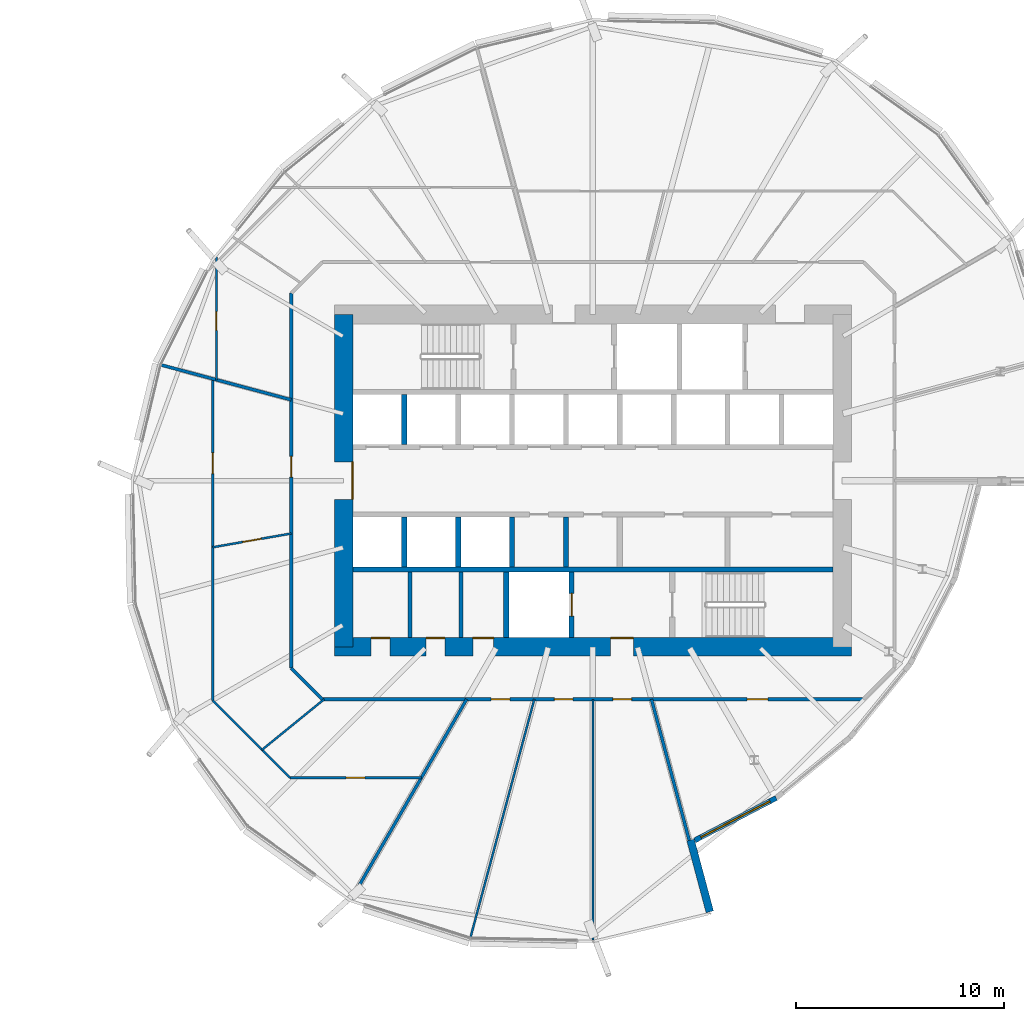
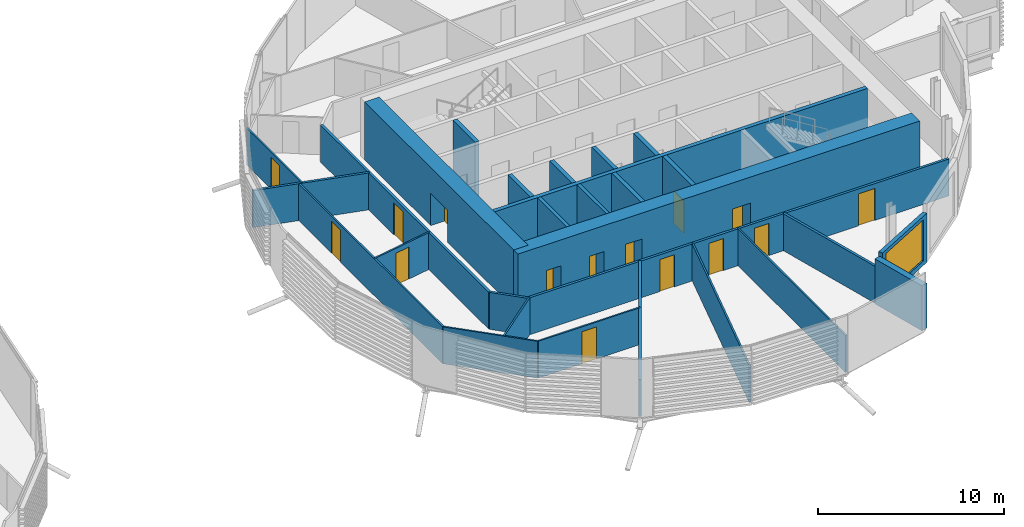
# One storey, part 23 of 38: 28 walls, 15 doors, 1 window, 16 openings.
"""IFC4 building model written with IfcOpenShell, lengths in metres."""

from ifc_helpers import new_model, si_unit, direction, frame, frame_2d, origin, place, context, subcontext, project, spatial, rectangle, extrude, material, layer, layer_set, type_object, element, fill, save


model = new_model("IFC4")

# Units and contexts
model_context = context("Model", 3, precision=1e-05, world=origin(), true_north=direction((0.0, 1.0)))
body_context = subcontext(model_context, "Body", "Model", "MODEL_VIEW")
ifc_project = project(units=[si_unit("LENGTHUNIT", "METRE"), si_unit("AREAUNIT", "SQUARE_METRE"), si_unit("VOLUMEUNIT", "CUBIC_METRE"), si_unit("PLANEANGLEUNIT", "RADIAN"), si_unit("MASSUNIT", "GRAM", prefix="KILO")], contexts=[model_context])

# Site, building, storey
site_placement = place(None, origin())
site = spatial("IfcSite", under=ifc_project, at=site_placement, CompositionType="ELEMENT")
building_placement = place(site_placement, origin())
building = spatial("IfcBuilding", under=site, at=building_placement, Name="Rimbun Link Towers", CompositionType="ELEMENT")
storey_placement = place(building_placement, frame((0.0, 0.0, 68.0)))
storey = spatial("IfcBuildingStorey", under=building, at=storey_placement, Name="L16", CompositionType="ELEMENT", Elevation=68.0)

# Wall, opening, window
ifc_material_1 = material(Name="Dark enamelled glass spandrel on insulated aluminium backpan", Category="aluminium")
ifc_layer_1 = layer(ifc_material_1, 0.25)
ifc_layer_set_1 = layer_set([ifc_layer_1], Name="CS dark enamelled spandrel wall 250")
wall_type_1 = type_object("IfcWallType", Name="CS dark enamelled spandrel wall 250", PredefinedType="STANDARD", material=ifc_layer_set_1)
wall_1_placement = place(storey_placement, frame((40.57958984375, -15.278564453125, 0.0), z_axis=(0.0, 0.0, 1.0), x_axis=(-0.886942309025, -0.461880223069, 0.0)))
wall_1 = element("IfcWall", 1, at=wall_1_placement, inside=storey, type_object=wall_type_1, Name="Crease spandrel wall", PredefinedType="STANDARD", context=body_context, shape_type="SweptSolid", body=[
    extrude(rectangle(XDim=4.429443359375, YDim=0.25, at=frame_2d((2.21484375, 0.0))), origin(), (0.0, 0.0, 1.0), 3.2236328125),
])
opening_1_placement = place(wall_1_placement, frame((0.33984375, 0.0, 0.300048828125)))
opening_1 = element("IfcOpeningElement", 2, at=opening_1_placement, cuts=wall_1, Name="Opening WR38H270", PredefinedType="OPENING", context=body_context, shape_type="SweptSolid", body=[
    extrude(rectangle(XDim=3.75, YDim=2.699951171875, at=frame_2d((1.875, 1.35009765625))), frame((0.0, 0.135009765625, 0.0), z_axis=(0.0, -1.0, 0.0), x_axis=(1.0, 0.0, 0.0)), (0.0, 0.0, 1.0), 0.27001953125),
])
ifc_material_2 = material(Name="Aluminium framed fixed window, dark tinted low-e glass", Category="aluminium")
window_type = type_object("IfcWindowType", Name="WR ribbon window 3750X2700", PartitioningType="SINGLE_PANEL", PredefinedType="WINDOW", material=ifc_material_2)
window_placement = place(opening_1_placement, origin())
window = element("IfcWindow", 3, at=window_placement, inside=storey, type_object=window_type, Name="Crease ribbon window", OverallHeight=2.699951171875, OverallWidth=3.75, PartitioningType="SINGLE_PANEL", PredefinedType="WINDOW", context=body_context, shape_type="SweptSolid", body=[
    extrude(rectangle(XDim=3.75, YDim=2.699951171875, at=frame_2d((1.875, 1.35009765625))), frame((0.0, 0.030029296875, 0.0), z_axis=(0.0, -1.0, 0.0), x_axis=(1.0, 0.0, 0.0)), (0.0, 0.0, 1.0), 0.06005859375),
])
fill(opening_1, window)

# Walls
ifc_material_3 = material(Name="Dark enamelled glass spandrel on insulated aluminium backpan", Category="aluminium")
ifc_layer_2 = layer(ifc_material_3, 0.3701171875)
ifc_layer_set_2 = layer_set([ifc_layer_2], Name="CS dark enamelled spandrel wall 370")
wall_type_2 = type_object("IfcWallType", Name="CS dark enamelled spandrel wall 370", PredefinedType="STANDARD", material=ifc_layer_set_2)
wall_2_placement = place(storey_placement, frame((36.453369140625, -17.30224609375, 0.0), z_axis=(0.0, 0.0, 1.0), x_axis=(0.258867887085, -0.965912737796, 0.0)))
element("IfcWall", 4, at=wall_2_placement, inside=storey, type_object=wall_type_2, Name="Crease spandrel wall", PredefinedType="STANDARD", context=body_context, shape_type="SweptSolid", body=[
    extrude(rectangle(XDim=3.580078125, YDim=0.3701171875, at=frame_2d((1.7900390625, 0.0))), origin(), (0.0, 0.0, 1.0), 2.9462890625),
])
ifc_material_4 = material(Name="Masonry blockwork", Category="masonry")
ifc_layer_3 = layer(ifc_material_4, 0.199951171875)
ifc_layer_set_3 = layer_set([ifc_layer_3], Name="Core partition 200")
wall_type_3 = type_object("IfcWallType", Name="Core partition 200", PredefinedType="PARTITIONING", material=ifc_layer_set_3)
for number, where, z_axis, x_axis, name in (
    (5, (22.949951171875, -4.39990234375, 0.0), (0.0, 0.0, 1.0), (0.0, -1.0, 0.0), "L16 T2 core wall C1"),
    (6, (25.39990234375, -4.39990234375, 0.0), (0.0, 0.0, 1.0), (0.0, -1.0, 0.0), "L16 T2 core wall C2"),
):
    element("IfcWall", number, at=place(storey_placement, frame(where, z_axis=z_axis, x_axis=x_axis)), inside=storey, type_object=wall_type_3, Name=name, PredefinedType="PARTITIONING", context=body_context, shape_type="SweptSolid", body=[
        extrude(rectangle(XDim=3.150146484375, YDim=0.199951171875, at=frame_2d((1.5751953125, 0.0))), origin(), (0.0, 0.0, 1.0), 3.800048828125),
    ])

# Wall, openings, doors
ifc_material_5 = material(Name="Concrete C60/75", Category="concrete")
ifc_layer_4 = layer(ifc_material_5, 0.89990234375)
ifc_layer_set_4 = layer_set([ifc_layer_4], Name="Core shear wall 900")
wall_type_4 = type_object("IfcWallType", Name="Core shear wall 900", PredefinedType="SHEAR", material=ifc_layer_set_4)
wall_3_placement = place(storey_placement, frame((19.300048828125, -8.0, 0.0), z_axis=(0.0, 0.0, 1.0), x_axis=(1.0, 0.0, 0.0)))
wall_3 = element("IfcWall", 7, at=wall_3_placement, inside=storey, type_object=wall_type_4, Name="L16 T2 core wall S", PredefinedType="SHEAR", context=body_context, shape_type="SweptSolid", body=[
    extrude(rectangle(XDim=24.89990234375, YDim=0.89990234375, at=frame_2d((12.449951171875, 0.0))), origin(), (0.0, 0.0, 1.0), 3.800048828125),
])
opening_2_placement = place(wall_3_placement, frame((13.300048828125, 0.0, 0.0)))
opening_2 = element("IfcOpeningElement", 8, at=opening_2_placement, cuts=wall_3, Name="Opening C2DCF01S", PredefinedType="OPENING", context=body_context, shape_type="SweptSolid", body=[
    extrude(rectangle(XDim=1.10009765625, YDim=2.10009765625, at=frame_2d((0.550048828125, 1.050048828125))), frame((0.0, 0.4599609375, 0.0), z_axis=(0.0, -1.0, 0.0), x_axis=(1.0, 0.0, 0.0)), (0.0, 0.0, 1.0), 0.919921875),
])
opening_3_placement = place(wall_3_placement, frame((1.77490234375, 0.0, 0.0)))
opening_3 = element("IfcOpeningElement", 9, at=opening_3_placement, cuts=wall_3, Name="Opening C2DWC02S", PredefinedType="OPENING", context=body_context, shape_type="SweptSolid", body=[
    extrude(rectangle(XDim=0.89990234375, YDim=2.10009765625, at=frame_2d((0.449951171875, 1.050048828125))), frame((0.0, 0.4599609375, 0.0), z_axis=(0.0, -1.0, 0.0), x_axis=(1.0, 0.0, 0.0)), (0.0, 0.0, 1.0), 0.919921875),
])
opening_4_placement = place(wall_3_placement, frame((4.425048828125, 0.0, 0.0)))
opening_4 = element("IfcOpeningElement", 10, at=opening_4_placement, cuts=wall_3, Name="Opening C2DWC03S", PredefinedType="OPENING", context=body_context, shape_type="SweptSolid", body=[
    extrude(rectangle(XDim=0.89990234375, YDim=2.10009765625, at=frame_2d((0.449951171875, 1.050048828125))), frame((0.0, 0.4599609375, 0.0), z_axis=(0.0, -1.0, 0.0), x_axis=(1.0, 0.0, 0.0)), (0.0, 0.0, 1.0), 0.919921875),
])
opening_5_placement = place(wall_3_placement, frame((6.675048828125, 0.0, 0.0)))
opening_5 = element("IfcOpeningElement", 11, at=opening_5_placement, cuts=wall_3, Name="Opening C2DAW04S", PredefinedType="OPENING", context=body_context, shape_type="SweptSolid", body=[
    extrude(rectangle(XDim=1.0, YDim=2.10009765625, at=frame_2d((0.5, 1.050048828125))), frame((0.0, 0.4599609375, 0.0), z_axis=(0.0, -1.0, 0.0), x_axis=(1.0, 0.0, 0.0)), (0.0, 0.0, 1.0), 0.919921875),
])
ifc_material_6 = material(Name="Timber", Category="wood")
door_type_1 = type_object("IfcDoorType", Name="Accessible WC door", OperationType="SINGLE_SWING_LEFT", PredefinedType="DOOR", material=ifc_material_6)
door_1_placement = place(opening_5_placement, origin())
door_1 = element("IfcDoor", 12, at=door_1_placement, inside=storey, type_object=door_type_1, Name="L16 T2 accessible wc door", OperationType="SINGLE_SWING_LEFT", OverallHeight=2.10009765625, OverallWidth=1.0, PredefinedType="DOOR", context=body_context, shape_type="SweptSolid", body=[
    extrude(rectangle(XDim=1.0, YDim=2.10009765625, at=frame_2d((0.5, 1.050048828125))), frame((0.0, 0.4501953125, 0.0), z_axis=(0.0, -1.0, 0.0), x_axis=(1.0, 0.0, 0.0)), (0.0, 0.0, 1.0), 0.050048828125),
])
fill(opening_5, door_1)
ifc_material_7 = material(Name="Steel fire door set", Category="steel")
door_type_2 = type_object("IfcDoorType", Name="Core fire door single", OperationType="SINGLE_SWING_LEFT", PredefinedType="DOOR", material=ifc_material_7)
door_2_placement = place(opening_2_placement, origin())
door_2 = element("IfcDoor", 13, at=door_2_placement, inside=storey, type_object=door_type_2, Name="L16 T2 firefighting lobby s door", OperationType="SINGLE_SWING_RIGHT", OverallHeight=2.10009765625, OverallWidth=1.10009765625, PredefinedType="DOOR", context=body_context, shape_type="SweptSolid", body=[
    extrude(rectangle(XDim=1.10009765625, YDim=2.10009765625, at=frame_2d((0.550048828125, 1.050048828125))), frame((0.0, 0.4501953125, 0.0), z_axis=(0.0, -1.0, 0.0), x_axis=(1.0, 0.0, 0.0)), (0.0, 0.0, 1.0), 0.050048828125),
])
fill(opening_2, door_2)
ifc_material_8 = material(Name="Timber", Category="wood")
door_type_3 = type_object("IfcDoorType", Name="WC door", OperationType="SINGLE_SWING_LEFT", PredefinedType="DOOR", material=ifc_material_8)
door_3_placement = place(opening_3_placement, origin())
door_3 = element("IfcDoor", 14, at=door_3_placement, inside=storey, type_object=door_type_3, Name="L16 T2 male wc door", OperationType="SINGLE_SWING_RIGHT", OverallHeight=2.10009765625, OverallWidth=0.89990234375, PredefinedType="DOOR", context=body_context, shape_type="SweptSolid", body=[
    extrude(rectangle(XDim=0.89990234375, YDim=2.10009765625, at=frame_2d((0.449951171875, 1.050048828125))), frame((0.0, 0.4501953125, 0.0), z_axis=(0.0, -1.0, 0.0), x_axis=(1.0, 0.0, 0.0)), (0.0, 0.0, 1.0), 0.050048828125),
])
fill(opening_3, door_3)
door_4_placement = place(opening_4_placement, origin())
door_4 = element("IfcDoor", 15, at=door_4_placement, inside=storey, type_object=door_type_3, Name="L16 T2 female wc door", OperationType="SINGLE_SWING_RIGHT", OverallHeight=2.10009765625, OverallWidth=0.89990234375, PredefinedType="DOOR", context=body_context, shape_type="SweptSolid", body=[
    extrude(rectangle(XDim=0.89990234375, YDim=2.10009765625, at=frame_2d((0.449951171875, 1.050048828125))), frame((0.0, 0.4501953125, 0.0), z_axis=(0.0, -1.0, 0.0), x_axis=(1.0, 0.0, 0.0)), (0.0, 0.0, 1.0), 0.050048828125),
])
fill(opening_4, door_4)

# Wall, opening, door
wall_4_placement = place(storey_placement, frame((19.75, -8.0, 0.0), z_axis=(0.0, 0.0, 1.0), x_axis=(0.0, 1.0, 0.0)))
wall_4 = element("IfcWall", 16, at=wall_4_placement, inside=storey, type_object=wall_type_4, Name="L16 T2 core wall W", PredefinedType="SHEAR", context=body_context, shape_type="SweptSolid", body=[
    extrude(rectangle(XDim=16.0, YDim=0.89990234375, at=frame_2d((8.0, 0.0))), origin(), (0.0, 0.0, 1.0), 3.800048828125),
])
opening_6_placement = place(wall_4_placement, frame((7.10009765625, 0.0, 0.0)))
opening_6 = element("IfcOpeningElement", 17, at=opening_6_placement, cuts=wall_4, Name="Opening C2DCL01W", PredefinedType="OPENING", context=body_context, shape_type="SweptSolid", body=[
    extrude(rectangle(XDim=1.800048828125, YDim=2.10009765625, at=frame_2d((0.89990234375, 1.050048828125))), frame((0.0, 0.4599609375, 0.0), z_axis=(0.0, -1.0, 0.0), x_axis=(1.0, 0.0, 0.0)), (0.0, 0.0, 1.0), 0.919921875),
])
ifc_material_9 = material(Name="Steel fire door set", Category="steel")
door_type_4 = type_object("IfcDoorType", Name="Core lobby door double", OperationType="DOUBLE_DOOR_SINGLE_SWING", PredefinedType="DOOR", material=ifc_material_9)
door_5_placement = place(opening_6_placement, origin())
door_5 = element("IfcDoor", 18, at=door_5_placement, inside=storey, type_object=door_type_4, Name="L16 T2 lift lobby door", OperationType="DOUBLE_DOOR_SINGLE_SWING", OverallHeight=2.10009765625, OverallWidth=1.800048828125, PredefinedType="DOOR", context=body_context, shape_type="SweptSolid", body=[
    extrude(rectangle(XDim=1.800048828125, YDim=2.10009765625, at=frame_2d((0.89990234375, 1.050048828125))), frame((0.0, -0.39990234375, 0.0), z_axis=(0.0, -1.0, 0.0), x_axis=(1.0, 0.0, 0.0)), (0.0, 0.0, 1.0), 0.050048828125),
])
fill(opening_6, door_5)

# Wall, openings, doors
ifc_material_10 = material(Name="Plasterboard on steel stud, mineral wool", Category="steel")
ifc_layer_5 = layer(ifc_material_10, 0.14990234375)
ifc_layer_set_5 = layer_set([ifc_layer_5], Name="Corridor wall EI 30 150 mm")
wall_type_5 = type_object("IfcWallType", Name="Corridor wall EI 30 150 mm", PredefinedType="PARTITIONING", material=ifc_layer_set_5)
wall_5_placement = place(storey_placement, frame((44.776611328125, -10.52490234375, 0.0), z_axis=(0.0, 0.0, 1.0), x_axis=(-1.0, 0.0, 0.0)))
wall_5 = element("IfcWall", 19, at=wall_5_placement, inside=storey, type_object=wall_type_5, Name="Corridor wall EI 30 150 mm", PredefinedType="PARTITIONING", context=body_context, shape_type="SweptSolid", body=[
    extrude(rectangle(XDim=26.05322265625, YDim=0.14990234375, at=frame_2d((13.026611328125, 0.0))), origin(), (0.0, 0.0, 1.0), 2.419921875),
])
opening_7_placement = place(wall_5_placement, frame((17.025146484375, 0.0, 0.0)))
opening_7 = element("IfcOpeningElement", 20, at=opening_7_placement, cuts=wall_5, Name="Opening D02", PredefinedType="OPENING", context=body_context, shape_type="SweptSolid", body=[
    extrude(rectangle(XDim=0.89990234375, YDim=2.10009765625, at=frame_2d((0.449951171875, 1.050048828125))), frame((0.0, 0.0849609375, 0.0), z_axis=(0.0, -1.0, 0.0), x_axis=(1.0, 0.0, 0.0)), (0.0, 0.0, 1.0), 0.169921875),
])
opening_8_placement = place(wall_5_placement, frame((13.98681640625, 0.0, 0.0)))
opening_8 = element("IfcOpeningElement", 21, at=opening_8_placement, cuts=wall_5, Name="Opening D02", PredefinedType="OPENING", context=body_context, shape_type="SweptSolid", body=[
    extrude(rectangle(XDim=0.89990234375, YDim=2.10009765625, at=frame_2d((0.449951171875, 1.050048828125))), frame((0.0, 0.0849609375, 0.0), z_axis=(0.0, -1.0, 0.0), x_axis=(1.0, 0.0, 0.0)), (0.0, 0.0, 1.0), 0.169921875),
])
opening_9_placement = place(wall_5_placement, frame((11.16650390625, 0.0, 0.0)))
opening_9 = element("IfcOpeningElement", 22, at=opening_9_placement, cuts=wall_5, Name="Opening D02", PredefinedType="OPENING", context=body_context, shape_type="SweptSolid", body=[
    extrude(rectangle(XDim=0.89990234375, YDim=2.10009765625, at=frame_2d((0.449951171875, 1.050048828125))), frame((0.0, 0.0849609375, 0.0), z_axis=(0.0, -1.0, 0.0), x_axis=(1.0, 0.0, 0.0)), (0.0, 0.0, 1.0), 0.169921875),
])
opening_10_placement = place(wall_5_placement, frame((4.603271484375, 0.0, 0.0)))
opening_10 = element("IfcOpeningElement", 23, at=opening_10_placement, cuts=wall_5, Name="Opening D01", PredefinedType="OPENING", context=body_context, shape_type="SweptSolid", body=[
    extrude(rectangle(XDim=1.0, YDim=2.10009765625, at=frame_2d((0.5, 1.050048828125))), frame((0.0, 0.0849609375, 0.0), z_axis=(0.0, -1.0, 0.0), x_axis=(1.0, 0.0, 0.0)), (0.0, 0.0, 1.0), 0.169921875),
])
ifc_material_11 = material(Name="Fire-resisting timber door leaf", Category="wood")
door_type_5 = type_object("IfcDoorType", Name="Fire door FD30S 1000", OperationType="NOTDEFINED", PredefinedType="DOOR", material=ifc_material_11)
door_6_placement = place(opening_10_placement, origin())
door_6 = element("IfcDoor", 24, at=door_6_placement, inside=storey, type_object=door_type_5, Name="Fire door FD30S 1000 to Terrace office", OperationType="SINGLE_SWING_LEFT", OverallHeight=2.10009765625, OverallWidth=1.0, PredefinedType="DOOR", context=body_context, shape_type="SweptSolid", body=[
    extrude(rectangle(XDim=1.0, YDim=2.10009765625, at=frame_2d((0.5, 1.050048828125))), frame((0.0, 0.02490234375, 0.0), z_axis=(0.0, -1.0, 0.0), x_axis=(1.0, 0.0, 0.0)), (0.0, 0.0, 1.0), 0.050048828125),
])
fill(opening_10, door_6)
ifc_material_12 = material(Name="Fire-resisting timber door leaf", Category="wood")
door_type_6 = type_object("IfcDoorType", Name="Fire door FD30S 900", OperationType="NOTDEFINED", PredefinedType="DOOR", material=ifc_material_12)
door_7_placement = place(opening_7_placement, origin())
door_7 = element("IfcDoor", 25, at=door_7_placement, inside=storey, type_object=door_type_6, Name="Fire door FD30S 900 to Cellular office", OperationType="SINGLE_SWING_RIGHT", OverallHeight=2.10009765625, OverallWidth=0.89990234375, PredefinedType="DOOR", context=body_context, shape_type="SweptSolid", body=[
    extrude(rectangle(XDim=0.89990234375, YDim=2.10009765625, at=frame_2d((0.449951171875, 1.050048828125))), frame((0.0, 0.02490234375, 0.0), z_axis=(0.0, -1.0, 0.0), x_axis=(1.0, 0.0, 0.0)), (0.0, 0.0, 1.0), 0.050048828125),
])
fill(opening_7, door_7)
door_8_placement = place(opening_8_placement, origin())
door_8 = element("IfcDoor", 26, at=door_8_placement, inside=storey, type_object=door_type_6, Name="Fire door FD30S 900 to Cellular office", OperationType="SINGLE_SWING_LEFT", OverallHeight=2.10009765625, OverallWidth=0.89990234375, PredefinedType="DOOR", context=body_context, shape_type="SweptSolid", body=[
    extrude(rectangle(XDim=0.89990234375, YDim=2.10009765625, at=frame_2d((0.449951171875, 1.050048828125))), frame((0.0, 0.02490234375, 0.0), z_axis=(0.0, -1.0, 0.0), x_axis=(1.0, 0.0, 0.0)), (0.0, 0.0, 1.0), 0.050048828125),
])
fill(opening_8, door_8)
door_9_placement = place(opening_9_placement, origin())
door_9 = element("IfcDoor", 27, at=door_9_placement, inside=storey, type_object=door_type_6, Name="Fire door FD30S 900 to Meeting room", OperationType="SINGLE_SWING_RIGHT", OverallHeight=2.10009765625, OverallWidth=0.89990234375, PredefinedType="DOOR", context=body_context, shape_type="SweptSolid", body=[
    extrude(rectangle(XDim=0.89990234375, YDim=2.10009765625, at=frame_2d((0.449951171875, 1.050048828125))), frame((0.0, 0.02490234375, 0.0), z_axis=(0.0, -1.0, 0.0), x_axis=(1.0, 0.0, 0.0)), (0.0, 0.0, 1.0), 0.050048828125),
])
fill(opening_9, door_9)

# Wall
wall_6_placement = place(storey_placement, frame((17.22509765625, -9.026611328125, 0.0), z_axis=(0.0, 0.0, 1.0), x_axis=(0.707106781187, -0.707106781187, 0.0)))
element("IfcWall", 28, at=wall_6_placement, inside=storey, type_object=wall_type_5, Name="Corridor wall EI 30 150 mm", PredefinedType="PARTITIONING", context=body_context, shape_type="SweptSolid", body=[
    extrude(rectangle(XDim=2.118896484375, YDim=0.14990234375, at=frame_2d((1.0595703125, 0.0))), origin(), (0.0, 0.0, 1.0), 2.419921875),
])

# Wall, opening, door
wall_7_placement = place(storey_placement, frame((17.22509765625, -9.026611328125, 0.0), z_axis=(0.0, 0.0, 1.0), x_axis=(0.0, 1.0, 0.0)))
wall_7 = element("IfcWall", 29, at=wall_7_placement, inside=storey, type_object=wall_type_5, Name="Corridor wall EI 30 150 mm", PredefinedType="PARTITIONING", context=body_context, shape_type="SweptSolid", body=[
    extrude(rectangle(XDim=18.05322265625, YDim=0.14990234375, at=frame_2d((9.026611328125, 0.0))), origin(), (0.0, 0.0, 1.0), 2.419921875),
])
opening_11_placement = place(wall_7_placement, frame((9.200439453125, 0.0, 0.0)))
opening_11 = element("IfcOpeningElement", 30, at=opening_11_placement, cuts=wall_7, Name="Opening D01", PredefinedType="OPENING", context=body_context, shape_type="SweptSolid", body=[
    extrude(rectangle(XDim=1.0, YDim=2.10009765625, at=frame_2d((0.5, 1.050048828125))), frame((0.0, 0.0849609375, 0.0), z_axis=(0.0, -1.0, 0.0), x_axis=(1.0, 0.0, 0.0)), (0.0, 0.0, 1.0), 0.169921875),
])
door_10_placement = place(opening_11_placement, origin())
door_10 = element("IfcDoor", 31, at=door_10_placement, inside=storey, type_object=door_type_5, Name="Fire door FD30S 1000 to Customer lobby", OperationType="SINGLE_SWING_LEFT", OverallHeight=2.10009765625, OverallWidth=1.0, PredefinedType="DOOR", context=body_context, shape_type="SweptSolid", body=[
    extrude(rectangle(XDim=1.0, YDim=2.10009765625, at=frame_2d((0.5, 1.050048828125))), frame((0.0, 0.02490234375, 0.0), z_axis=(0.0, -1.0, 0.0), x_axis=(1.0, 0.0, 0.0)), (0.0, 0.0, 1.0), 0.050048828125),
])
fill(opening_11, door_10)

ifc_material_13 = material(Name="Plasterboard on steel stud", Category="steel")
ifc_layer_6 = layer(ifc_material_13, 0.10009765625)
ifc_layer_set_6 = layer_set([ifc_layer_6], Name="Plasterboard partition 100 mm")
wall_type_6 = type_object("IfcWallType", Name="Plasterboard partition 100 mm", PredefinedType="PARTITIONING", material=ifc_layer_set_6)
wall_8_placement = place(storey_placement, frame((13.625, 4.856689453125, 0.0), z_axis=(0.0, 0.0, 1.0), x_axis=(0.0, 1.0, 0.0)))
wall_8 = element("IfcWall", 32, at=wall_8_placement, inside=storey, type_object=wall_type_6, Name="Plasterboard partition 100 mm", PredefinedType="PARTITIONING", context=body_context, shape_type="SweptSolid", body=[
    extrude(rectangle(XDim=5.92431640625, YDim=0.10009765625, at=frame_2d((2.962158203125, 0.0))), origin(), (0.0, 0.0, 1.0), 2.419921875),
])
opening_12_placement = place(wall_8_placement, frame((2.380615234375, 0.0, 0.0)))
opening_12 = element("IfcOpeningElement", 33, at=opening_12_placement, cuts=wall_8, Name="Opening D04", PredefinedType="OPENING", context=body_context, shape_type="SweptSolid", body=[
    extrude(rectangle(XDim=0.89990234375, YDim=2.10009765625, at=frame_2d((0.449951171875, 1.050048828125))), frame((0.0, 0.06005859375, 0.0), z_axis=(0.0, -1.0, 0.0), x_axis=(1.0, 0.0, 0.0)), (0.0, 0.0, 1.0), 0.1201171875),
])
ifc_material_14 = material(Name="Timber door leaf", Category="wood")
door_type_7 = type_object("IfcDoorType", Name="Flush door 900", OperationType="NOTDEFINED", PredefinedType="DOOR", material=ifc_material_14)
door_11_placement = place(opening_12_placement, origin())
door_11 = element("IfcDoor", 34, at=door_11_placement, inside=storey, type_object=door_type_7, Name="Flush door 900 to Serviced office", OperationType="SINGLE_SWING_LEFT", OverallHeight=2.10009765625, OverallWidth=0.89990234375, PredefinedType="DOOR", context=body_context, shape_type="SweptSolid", body=[
    extrude(rectangle(XDim=0.89990234375, YDim=2.10009765625, at=frame_2d((0.449951171875, 1.050048828125))), frame((0.0, 0.02490234375, 0.0), z_axis=(0.0, -1.0, 0.0), x_axis=(1.0, 0.0, 0.0)), (0.0, 0.0, 1.0), 0.050048828125),
])
fill(opening_12, door_11)

wall_9_placement = place(storey_placement, frame((17.22509765625, -2.544677734375, 0.0), z_axis=(0.0, 0.0, 1.0), x_axis=(-0.985003719376, -0.172533106436, 0.0)))
wall_9 = element("IfcWall", 35, at=wall_9_placement, inside=storey, type_object=wall_type_6, Name="Plasterboard partition 100 mm", PredefinedType="PARTITIONING", context=body_context, shape_type="SweptSolid", body=[
    extrude(rectangle(XDim=3.837646484375, YDim=0.10009765625, at=frame_2d((1.9189453125, 0.0))), origin(), (0.0, 0.0, 1.0), 2.419921875),
])
opening_13_placement = place(wall_9_placement, frame((1.46875, 0.0, 0.0)))
opening_13 = element("IfcOpeningElement", 36, at=opening_13_placement, cuts=wall_9, Name="Opening D04", PredefinedType="OPENING", context=body_context, shape_type="SweptSolid", body=[
    extrude(rectangle(XDim=0.89990234375, YDim=2.10009765625, at=frame_2d((0.449951171875, 1.050048828125))), frame((0.0, 0.06005859375, 0.0), z_axis=(0.0, -1.0, 0.0), x_axis=(1.0, 0.0, 0.0)), (0.0, 0.0, 1.0), 0.1201171875),
])
door_12_placement = place(opening_13_placement, origin())
door_12 = element("IfcDoor", 37, at=door_12_placement, inside=storey, type_object=door_type_7, Name="Flush door 900 to Interview room", OperationType="SINGLE_SWING_RIGHT", OverallHeight=2.10009765625, OverallWidth=0.89990234375, PredefinedType="DOOR", context=body_context, shape_type="SweptSolid", body=[
    extrude(rectangle(XDim=0.89990234375, YDim=2.10009765625, at=frame_2d((0.449951171875, 1.050048828125))), frame((0.0, 0.02490234375, 0.0), z_axis=(0.0, -1.0, 0.0), x_axis=(1.0, 0.0, 0.0)), (0.0, 0.0, 1.0), 0.050048828125),
])
fill(opening_13, door_12)

wall_10_placement = place(storey_placement, frame((13.445068359375, -10.59228515625, 0.0), z_axis=(0.0, 0.0, 1.0), x_axis=(0.0, 1.0, 0.0)))
wall_10 = element("IfcWall", 38, at=wall_10_placement, inside=storey, type_object=wall_type_6, Name="Plasterboard partition 100 mm", PredefinedType="PARTITIONING", context=body_context, shape_type="SweptSolid", body=[
    extrude(rectangle(XDim=15.4970703125, YDim=0.10009765625, at=frame_2d((7.74853515625, 0.0))), origin(), (0.0, 0.0, 1.0), 2.419921875),
])
opening_14_placement = place(wall_10_placement, frame((10.926513671875, 0.0, 0.0)))
opening_14 = element("IfcOpeningElement", 39, at=opening_14_placement, cuts=wall_10, Name="Opening D03", PredefinedType="OPENING", context=body_context, shape_type="SweptSolid", body=[
    extrude(rectangle(XDim=1.0, YDim=2.10009765625, at=frame_2d((0.5, 1.050048828125))), frame((0.0, 0.06005859375, 0.0), z_axis=(0.0, -1.0, 0.0), x_axis=(1.0, 0.0, 0.0)), (0.0, 0.0, 1.0), 0.1201171875),
])
ifc_material_15 = material(Name="Timber door leaf", Category="wood")
door_type_8 = type_object("IfcDoorType", Name="Flush door 1000", OperationType="NOTDEFINED", PredefinedType="DOOR", material=ifc_material_15)
door_13_placement = place(opening_14_placement, origin())
door_13 = element("IfcDoor", 40, at=door_13_placement, inside=storey, type_object=door_type_8, Name="Flush door 1000 to Banking hall", OperationType="SINGLE_SWING_LEFT", OverallHeight=2.10009765625, OverallWidth=1.0, PredefinedType="DOOR", context=body_context, shape_type="SweptSolid", body=[
    extrude(rectangle(XDim=1.0, YDim=2.10009765625, at=frame_2d((0.5, 1.050048828125))), frame((0.0, 0.02490234375, 0.0), z_axis=(0.0, -1.0, 0.0), x_axis=(1.0, 0.0, 0.0)), (0.0, 0.0, 1.0), 0.050048828125),
])
fill(opening_14, door_13)

# Walls
wall_11_placement = place(storey_placement, frame((15.8154296875, -12.962890625, 0.0), z_axis=(0.0, 0.0, 1.0), x_axis=(0.775725311714, 0.631070709799, 0.0)))
element("IfcWall", 41, at=wall_11_placement, inside=storey, type_object=wall_type_6, Name="Plasterboard partition 100 mm", PredefinedType="PARTITIONING", context=body_context, shape_type="SweptSolid", body=[
    extrude(rectangle(XDim=3.86328125, YDim=0.10009765625, at=frame_2d((1.931640625, 0.0))), origin(), (0.0, 0.0, 1.0), 2.419921875),
])
wall_12_placement = place(storey_placement, frame((13.445068359375, -10.59228515625, 0.0), z_axis=(0.0, 0.0, 1.0), x_axis=(0.707106781187, -0.707106781187, 0.0)))
element("IfcWall", 42, at=wall_12_placement, inside=storey, type_object=wall_type_6, Name="Plasterboard partition 100 mm", PredefinedType="PARTITIONING", context=body_context, shape_type="SweptSolid", body=[
    extrude(rectangle(XDim=5.25048828125, YDim=0.10009765625, at=frame_2d((2.625244140625, 0.0))), origin(), (0.0, 0.0, 1.0), 2.419921875),
])

# Wall, opening, door
wall_13_placement = place(storey_placement, frame((17.15771484375, -14.304931640625, 0.0), z_axis=(0.0, 0.0, 1.0), x_axis=(1.0, 0.0, 0.0)))
wall_13 = element("IfcWall", 43, at=wall_13_placement, inside=storey, type_object=wall_type_6, Name="Plasterboard partition 100 mm", PredefinedType="PARTITIONING", context=body_context, shape_type="SweptSolid", body=[
    extrude(rectangle(XDim=6.333251953125, YDim=0.10009765625, at=frame_2d((3.16650390625, 0.0))), origin(), (0.0, 0.0, 1.0), 2.419921875),
])
opening_15_placement = place(wall_13_placement, frame((2.716796875, 0.0, 0.0)))
opening_15 = element("IfcOpeningElement", 44, at=opening_15_placement, cuts=wall_13, Name="Opening D04", PredefinedType="OPENING", context=body_context, shape_type="SweptSolid", body=[
    extrude(rectangle(XDim=0.89990234375, YDim=2.10009765625, at=frame_2d((0.449951171875, 1.050048828125))), frame((0.0, 0.06005859375, 0.0), z_axis=(0.0, -1.0, 0.0), x_axis=(1.0, 0.0, 0.0)), (0.0, 0.0, 1.0), 0.1201171875),
])
door_14_placement = place(opening_15_placement, origin())
door_14 = element("IfcDoor", 45, at=door_14_placement, inside=storey, type_object=door_type_7, Name="Flush door 900 to Strong room", OperationType="SINGLE_SWING_LEFT", OverallHeight=2.10009765625, OverallWidth=0.89990234375, PredefinedType="DOOR", context=body_context, shape_type="SweptSolid", body=[
    extrude(rectangle(XDim=0.89990234375, YDim=2.10009765625, at=frame_2d((0.449951171875, 1.050048828125))), frame((0.0, 0.02490234375, 0.0), z_axis=(0.0, -1.0, 0.0), x_axis=(1.0, 0.0, 0.0)), (0.0, 0.0, 1.0), 0.050048828125),
])
fill(opening_15, door_14)

# Walls
wall_14_placement = place(storey_placement, frame((25.853759765625, -22.0048828125, 0.0), z_axis=(0.0, 0.0, 1.0), x_axis=(0.258809329338, 0.965928429568, 0.0)))
element("IfcWall", 46, at=wall_14_placement, inside=storey, type_object=wall_type_6, Name="Plasterboard partition 100 mm", PredefinedType="PARTITIONING", context=body_context, shape_type="SweptSolid", body=[
    extrude(rectangle(XDim=11.885009765625, YDim=0.10009765625, at=frame_2d((5.9423828125, 0.0))), origin(), (0.0, 0.0, 1.0), 2.419921875),
])
wall_15_placement = place(storey_placement, frame((31.75, -22.12890625, 0.0), z_axis=(0.0, 0.0, 1.0), x_axis=(0.0, 1.0, 0.0)))
element("IfcWall", 47, at=wall_15_placement, inside=storey, type_object=wall_type_6, Name="Plasterboard partition 100 mm", PredefinedType="PARTITIONING", context=body_context, shape_type="SweptSolid", body=[
    extrude(rectangle(XDim=11.60400390625, YDim=0.10009765625, at=frame_2d((5.802001953125, 0.0))), origin(), (0.0, 0.0, 1.0), 2.419921875),
])
ifc_material_16 = material(Name="Concrete C60/75", Category="concrete")
ifc_layer_7 = layer(ifc_material_16, 0.25)
ifc_layer_set_7 = layer_set([ifc_layer_7], Name="Shaft wall 250")
wall_type_7 = type_object("IfcWallType", Name="Shaft wall 250", PredefinedType="SHEAR", material=ifc_layer_set_7)
wall_16_placement = place(storey_placement, frame((20.199951171875, -4.27490234375, 0.0), z_axis=(0.0, 0.0, 1.0), x_axis=(1.0, 0.0, 0.0)))
element("IfcWall", 48, at=wall_16_placement, inside=storey, type_object=wall_type_7, Name="L16 T2 core wall BS", PredefinedType="SHEAR", context=body_context, shape_type="SweptSolid", body=[
    extrude(rectangle(XDim=23.10009765625, YDim=0.25, at=frame_2d((11.550048828125, 0.0))), origin(), (0.0, 0.0, 1.0), 3.800048828125),
])
for number, where, z_axis, x_axis, name in (
    (49, (22.66943359375, 1.75, 0.0), (0.0, 0.0, 1.0), (0.0, 1.0, 0.0), "L16 T2 core wall DN0"),
    (50, (22.66943359375, -4.14990234375, 0.0), (0.0, 0.0, 1.0), (0.0, 1.0, 0.0), "L16 T2 core wall DS0"),
    (51, (25.263916015625, -4.14990234375, 0.0), (0.0, 0.0, 1.0), (0.0, 1.0, 0.0), "L16 T2 core wall DS1"),
    (52, (27.8583984375, -4.14990234375, 0.0), (0.0, 0.0, 1.0), (0.0, 1.0, 0.0), "L16 T2 core wall DS2"),
    (53, (30.452880859375, -4.14990234375, 0.0), (0.0, 0.0, 1.0), (0.0, 1.0, 0.0), "L16 T2 core wall DS3"),
):
    element("IfcWall", number, at=place(storey_placement, frame(where, z_axis=z_axis, x_axis=x_axis)), inside=storey, type_object=wall_type_7, Name=name, PredefinedType="SHEAR", context=body_context, shape_type="SweptSolid", body=[
        extrude(rectangle(XDim=2.39990234375, YDim=0.25, at=frame_2d((1.199951171875, 0.0))), origin(), (0.0, 0.0, 1.0), 3.800048828125),
    ])

# Wall, opening, door
wall_17_placement = place(storey_placement, frame((30.72509765625, -4.39990234375, 0.0), z_axis=(0.0, 0.0, 1.0), x_axis=(0.0, -1.0, 0.0)))
wall_17 = element("IfcWall", 54, at=wall_17_placement, inside=storey, type_object=wall_type_7, Name="L16 T2 core wall B2", PredefinedType="SHEAR", context=body_context, shape_type="SweptSolid", body=[
    extrude(rectangle(XDim=3.150146484375, YDim=0.25, at=frame_2d((1.5751953125, 0.0))), origin(), (0.0, 0.0, 1.0), 3.800048828125),
])
opening_16_placement = place(wall_17_placement, frame((1.02490234375, 0.0, 0.0)))
opening_16 = element("IfcOpeningElement", 55, at=opening_16_placement, cuts=wall_17, Name="Opening LD-T2-FF2", PredefinedType="OPENING", context=body_context, shape_type="SweptSolid", body=[
    extrude(rectangle(XDim=1.10009765625, YDim=2.10009765625, at=frame_2d((0.550048828125, 1.050048828125))), frame((0.0, 0.135009765625, 0.0), z_axis=(0.0, -1.0, 0.0), x_axis=(1.0, 0.0, 0.0)), (0.0, 0.0, 1.0), 0.27001953125),
])
ifc_material_17 = material(Name="Stainless steel grade 316", Category="steel")
door_type_9 = type_object("IfcDoorType", Name="Lift landing door", OperationType="DOUBLE_DOOR_SLIDING", PredefinedType="DOOR", material=ifc_material_17)
door_15_placement = place(opening_16_placement, origin())
door_15 = element("IfcDoor", 56, at=door_15_placement, inside=storey, type_object=door_type_9, Name="L16 T2 lift FF2 landing door", OperationType="DOUBLE_DOOR_SLIDING", OverallHeight=2.10009765625, OverallWidth=1.10009765625, PredefinedType="DOOR", context=body_context, shape_type="SweptSolid", body=[
    extrude(rectangle(XDim=1.10009765625, YDim=2.10009765625, at=frame_2d((0.550048828125, 1.050048828125))), frame((0.0, 0.02490234375, 0.0), z_axis=(0.0, -1.0, 0.0), x_axis=(1.0, 0.0, 0.0)), (0.0, 0.0, 1.0), 0.050048828125),
])
fill(opening_16, door_15)

# Walls
wall_18_placement = place(storey_placement, frame((27.574951171875, -4.39990234375, 0.0), z_axis=(0.0, 0.0, 1.0), x_axis=(0.0, -1.0, 0.0)))
element("IfcWall", 57, at=wall_18_placement, inside=storey, type_object=wall_type_7, Name="L16 T2 core wall B3", PredefinedType="SHEAR", context=body_context, shape_type="SweptSolid", body=[
    extrude(rectangle(XDim=3.150146484375, YDim=0.25, at=frame_2d((1.5751953125, 0.0))), origin(), (0.0, 0.0, 1.0), 3.800048828125),
])
ifc_material_18 = material(Name="Plasterboard on steel stud, mineral wool", Category="steel")
ifc_layer_8 = layer(ifc_material_18, 0.14990234375)
ifc_layer_set_8 = layer_set([ifc_layer_8], Name="Tenancy separation wall EI 60 150 mm")
wall_type_8 = type_object("IfcWallType", Name="Tenancy separation wall EI 60 150 mm", PredefinedType="PARTITIONING", material=ifc_layer_set_8)
wall_19_placement = place(storey_placement, frame((17.22509765625, 3.89208984375, 0.0), z_axis=(0.0, 0.0, 1.0), x_axis=(-0.965926567568, 0.258816278596, 0.0)))
element("IfcWall", 58, at=wall_19_placement, inside=storey, type_object=wall_type_8, Name="Tenancy separation wall EI 60 150 mm", PredefinedType="PARTITIONING", context=body_context, shape_type="SweptSolid", body=[
    extrude(rectangle(XDim=6.49267578125, YDim=0.14990234375, at=frame_2d((3.246337890625, 0.0))), origin(), (0.0, 0.0, 1.0), 2.419921875),
])
wall_20_placement = place(storey_placement, frame((25.67333984375, -10.52490234375, 0.0), z_axis=(0.0, 0.0, 1.0), x_axis=(-0.499982273581, -0.866035637895, 0.0)))
element("IfcWall", 59, at=wall_20_placement, inside=storey, type_object=wall_type_8, Name="Tenancy separation wall EI 60 150 mm", PredefinedType="PARTITIONING", context=body_context, shape_type="SweptSolid", body=[
    extrude(rectangle(XDim=11.1435546875, YDim=0.14990234375, at=frame_2d((5.57177734375, 0.0))), origin(), (0.0, 0.0, 1.0), 2.419921875),
])
wall_21_placement = place(storey_placement, frame((34.5703125, -10.52490234375, 0.0), z_axis=(0.0, 0.0, 1.0), x_axis=(0.25879449513, -0.9659324041, 0.0)))
element("IfcWall", 60, at=wall_21_placement, inside=storey, type_object=wall_type_8, Name="Tenancy separation wall EI 60 150 mm", PredefinedType="PARTITIONING", context=body_context, shape_type="SweptSolid", body=[
    extrude(rectangle(XDim=7.033935546875, YDim=0.14990234375, at=frame_2d((3.51708984375, 0.0))), origin(), (0.0, 0.0, 1.0), 2.419921875),
])

save(model, "model.ifc")
